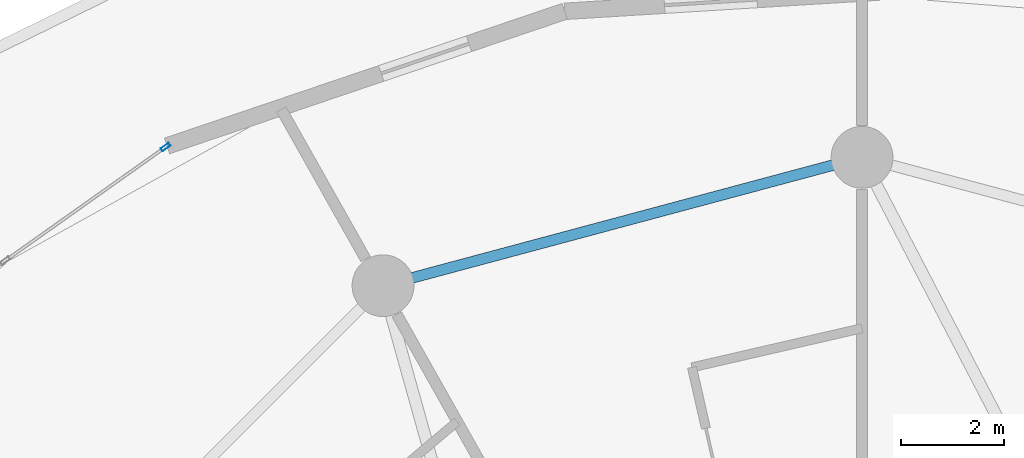
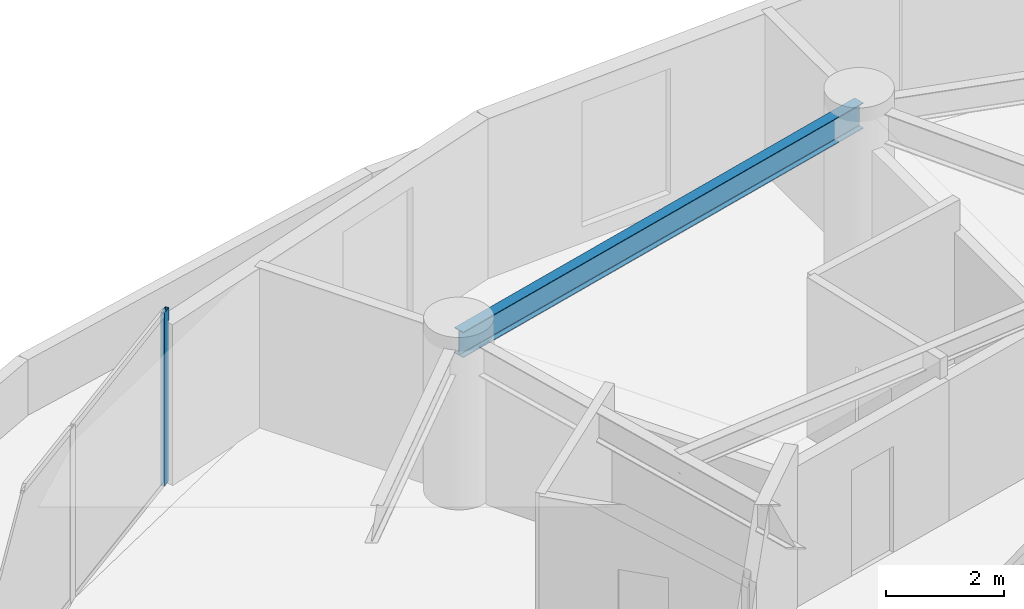
# One storey, part 14 of 25: 1 beam, 1 member, 1 element without a shape of its own.
"""IFC4 building model written with IfcOpenShell, lengths in metres."""

from ifc_helpers import new_model, si_unit, direction, frame, origin, origin_2d, place, context, subcontext, project, spatial, hollow_rectangle, i_section, extrude, source, transform, mapped, material, layer, layer_set, material_profile, profile_set, type_object, element, aggregate, save


model = new_model("IFC4")

# Units and contexts
model_context = context("Model", 3, precision=1e-05, world=origin(), true_north=direction((0.0, 1.0)))
body_context = subcontext(model_context, "Body", "Model", "MODEL_VIEW")
ifc_project = project(units=[si_unit("LENGTHUNIT", "METRE"), si_unit("AREAUNIT", "SQUARE_METRE"), si_unit("VOLUMEUNIT", "CUBIC_METRE"), si_unit("PLANEANGLEUNIT", "RADIAN"), si_unit("MASSUNIT", "GRAM", prefix="KILO")], contexts=[model_context])

# Site, building, storey
site_placement = place(None, origin())
site = spatial("IfcSite", under=ifc_project, at=site_placement, CompositionType="ELEMENT")
building_placement = place(site_placement, origin())
building = spatial("IfcBuilding", under=site, at=building_placement, Name="Solvirekh Grand Hotel", CompositionType="ELEMENT")
storey_placement = place(building_placement, frame((0.0, 0.0, 28.39990234375)))
storey = spatial("IfcBuildingStorey", under=building, at=storey_placement, Name="L05", CompositionType="ELEMENT", Elevation=28.39990234375)

# Beam
ifc_material_1 = material(Name="Steel S355", Category="steel")
ifc_material_profile_1 = material_profile(ifc_material_1, i_section(OverallWidth=0.208984375, OverallDepth=0.532958984375, WebThickness=0.010009765625, FlangeThickness=0.014892578125, FilletRadius=0.013916015625, at=origin_2d()), Name="W530X92")
ifc_profile_set_1 = profile_set([ifc_material_profile_1], Name="Steel S355")
beam_type = type_object("IfcBeamType", Name="Spandrel_Ring_W530", PredefinedType="SPANDREL", material=ifc_profile_set_1)
beam_placement = place(storey_placement, frame((0.0, 18.60009765625, 3.072998046875), z_axis=(-0.965919414426, -0.258842973314, 0.0), x_axis=(0.258842973314, -0.965919414426, 0.0)))
element("IfcBeam", 1, at=beam_placement, inside=storey, type_object=beam_type, Name="L05 perimeter spandrel beam 4", PredefinedType="SPANDREL", context=body_context, shape_type="SweptSolid", body=[
    extrude(i_section(OverallWidth=0.208984375, OverallDepth=0.532958984375, WebThickness=0.010009765625, FlangeThickness=0.014892578125, FilletRadius=0.013916015625, at=origin_2d()), origin(), (0.0, 0.0, 1.0), 9.628173828125),
])

# Curtain wall, member
ifc_material_2 = material(Name="Anodized Bronze Aluminium 6063-T6", Category="aluminium")
ifc_layer = layer(ifc_material_2, 0.18994140625)
ifc_layer_set = layer_set([ifc_layer], Name="Anodized Bronze Aluminium 6063-T6")
curtain_wall_type = type_object("IfcCurtainWallType", Name="CW_Sys2_LowZoneFlushBronzeCW", PredefinedType="NOTDEFINED", material=ifc_layer_set)
curtain_wall_placement = place(storey_placement, origin())
curtain_wall = element("IfcCurtainWall", 2, at=curtain_wall_placement, inside=storey, type_object=curtain_wall_type, Name="L05 unitised bronze-glass curtain wall CW-L05-C08", PredefinedType="NOTDEFINED")
ifc_material_profile_2 = material_profile(ifc_material_2, hollow_rectangle(XDim=0.070068359375, YDim=0.18994140625, WallThickness=0.0048828125, at=origin_2d()), Name="ALU RHS 190X70X5")
ifc_profile_set_2 = profile_set([ifc_material_profile_2], Name="Anodized Bronze Aluminium 6063-T6")
member_type = type_object("IfcMemberType", Name="CWMullion_Sys2", PredefinedType="MULLION", material=ifc_profile_set_2)
shared_shape = source(origin(), body_context, "Body", "SweptSolid", [
    extrude(hollow_rectangle(XDim=0.070068359375, YDim=0.18994140625, WallThickness=0.0048828125, at=origin_2d()), origin(), (0.0, 0.0, 1.0), 3.60009765625),
])
member_placement = place(storey_placement, frame((-13.521484375, 18.80078125, 0.0), z_axis=(0.0, 0.0, 1.0), x_axis=(0.578373813708, -0.815771862482, 0.0)))
member = element("IfcMember", 3, at=member_placement, type_object=member_type, Name="U02 mullion 1", PredefinedType="MULLION", context=body_context, shape_type="MappedRepresentation", body=[
    mapped(shared_shape, transform((0.0, 0.0, 0.0), x_axis=(1.0, 0.0, 0.0), y_axis=(0.0, 1.0, 0.0), z_axis=(0.0, 0.0, 1.0), scale=1.0)),
])
aggregate(curtain_wall, [member])

save(model, "model.ifc")
